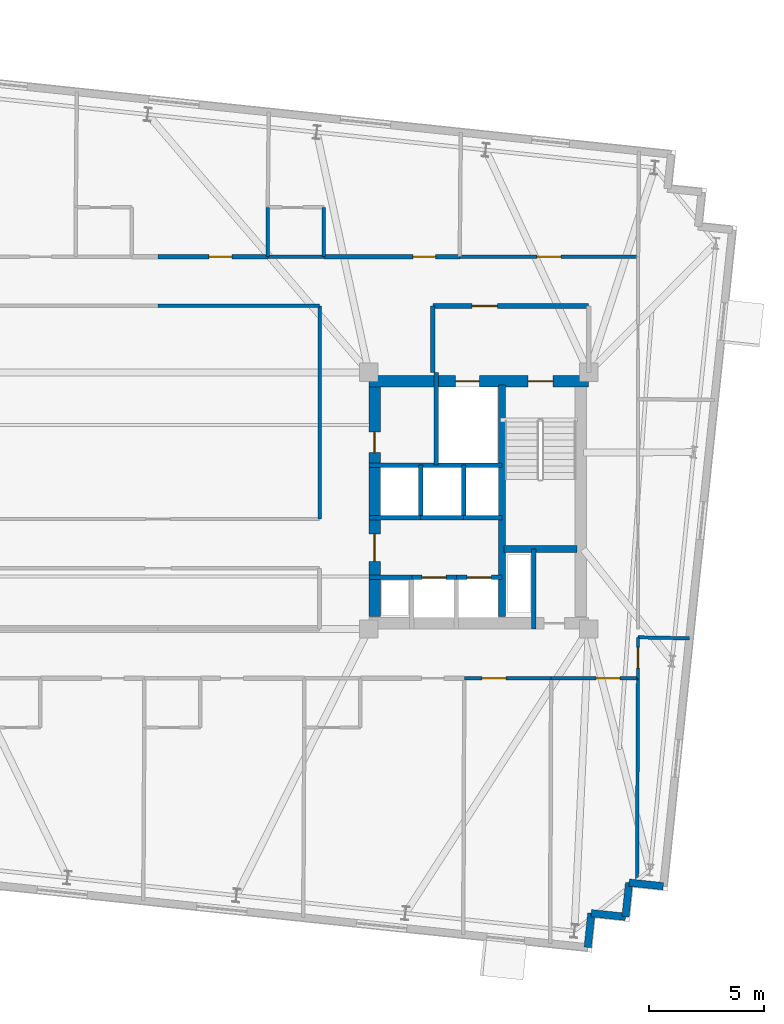
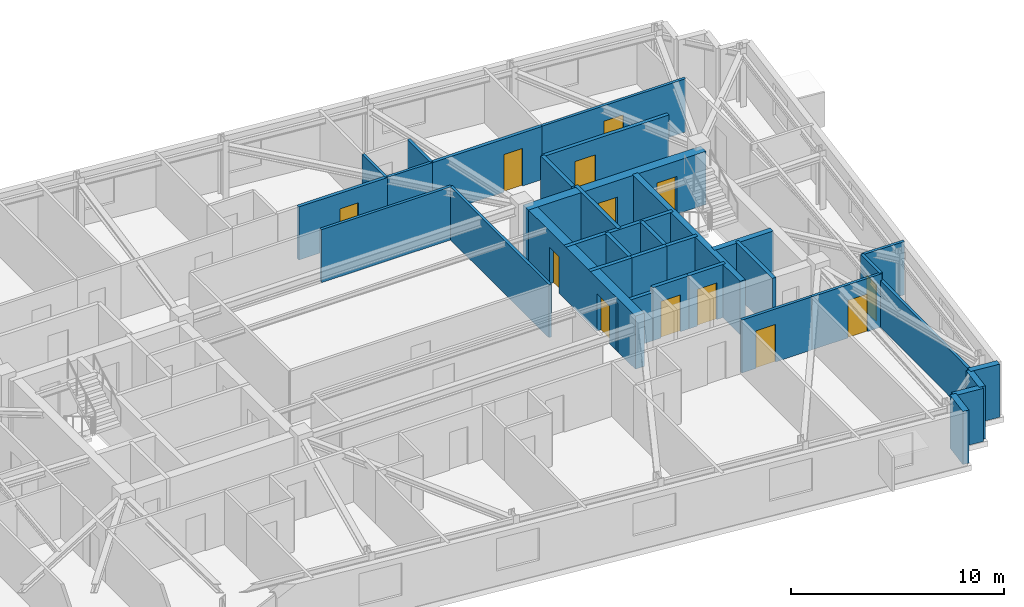
# One storey, part 8 of 11: 34 walls, 13 doors, 13 openings.
"""IFC4 building model written with IfcOpenShell, lengths in metres."""

from ifc_helpers import new_model, si_unit, direction, frame, frame_2d, origin, place, context, subcontext, project, spatial, rectangle, extrude, material, layer, layer_set, type_object, element, fill, save


model = new_model("IFC4")

# Units and contexts
model_context = context("Model", 3, precision=1e-05, world=origin(), true_north=direction((0.0, 1.0)))
body_context = subcontext(model_context, "Body", "Model", "MODEL_VIEW")
ifc_project = project(units=[si_unit("LENGTHUNIT", "METRE"), si_unit("AREAUNIT", "SQUARE_METRE"), si_unit("VOLUMEUNIT", "CUBIC_METRE"), si_unit("PLANEANGLEUNIT", "RADIAN"), si_unit("MASSUNIT", "GRAM", prefix="KILO")], contexts=[model_context])

# Site, building, storey
site_placement = place(None, origin())
site = spatial("IfcSite", under=ifc_project, at=site_placement, CompositionType="ELEMENT")
building_placement = place(site_placement, origin())
building = spatial("IfcBuilding", under=site, at=building_placement, Name="Qobustan Lattice House", CompositionType="ELEMENT")
storey_placement = place(building_placement, frame((0.0, 0.0, 209.800048828125)))
storey = spatial("IfcBuildingStorey", under=building, at=storey_placement, Name="L59", CompositionType="ELEMENT", Elevation=209.800048828125)

# Wall, openings, doors
ifc_material_1 = material(Name="Concrete C50/60", Category="concrete")
ifc_layer_1 = layer(ifc_material_1, 0.5)
ifc_layer_set_1 = layer_set([ifc_layer_1], Name="Concrete C50/60")
wall_type_1 = type_object("IfcWallType", Name="WAL-CORE-500", PredefinedType="SHEAR", material=ifc_layer_set_1)
wall_1_placement = place(storey_placement, frame((9.199951171875, 5.2099609375, 0.0), z_axis=(0.0, 0.0, 1.0), x_axis=(1.0, 0.0, 0.0)))
wall_1 = element("IfcWall", 1, at=wall_1_placement, inside=storey, type_object=wall_type_1, Name="L59 split-core shear wall CE-N", PredefinedType="SHEAR", context=body_context, shape_type="SweptSolid", body=[
    extrude(rectangle(XDim=9.60009765625, YDim=0.5, at=frame_2d((4.800048828125, 0.0))), origin(), (0.0, 0.0, 1.0), 3.0400390625),
])
opening_1_placement = place(wall_1_placement, frame((6.949951171875, 0.0, 0.0)))
opening_1 = element("IfcOpeningElement", 2, at=opening_1_placement, cuts=wall_1, Name="Opening SD-01", PredefinedType="OPENING", context=body_context, shape_type="SweptSolid", body=[
    extrude(rectangle(XDim=1.10009765625, YDim=2.14990234375, at=frame_2d((0.550048828125, 1.074951171875))), frame((0.0, 0.260009765625, 0.0), z_axis=(0.0, -1.0, 0.0), x_axis=(1.0, 0.0, 0.0)), (0.0, 0.0, 1.0), 0.52001953125),
])
opening_2_placement = place(wall_1_placement, frame((3.77490234375, 0.0, 0.0)))
opening_2 = element("IfcOpeningElement", 3, at=opening_2_placement, cuts=wall_1, Name="Opening LD-01", PredefinedType="OPENING", context=body_context, shape_type="SweptSolid", body=[
    extrude(rectangle(XDim=1.050048828125, YDim=2.10009765625, at=frame_2d((0.52490234375, 1.050048828125))), frame((0.0, 0.260009765625, 0.0), z_axis=(0.0, -1.0, 0.0), x_axis=(1.0, 0.0, 0.0)), (0.0, 0.0, 1.0), 0.52001953125),
])
ifc_material_2 = material(Name="Persian walnut timber and steel frame door", Category="steel")
door_type_1 = type_object("IfcDoorType", Name="DOR-LIFT-LD-1050x2100", OperationType="NOTDEFINED", PredefinedType="DOOR", material=ifc_material_2)
door_1_placement = place(opening_2_placement, origin())
door_1 = element("IfcDoor", 4, at=door_1_placement, inside=storey, type_object=door_type_1, Name="L59 firefighting lift FF-E landing door", OperationType="DOUBLE_DOOR_SLIDING", OverallHeight=2.10009765625, OverallWidth=1.050048828125, PredefinedType="DOOR", context=body_context, shape_type="SweptSolid", body=[
    extrude(rectangle(XDim=1.050048828125, YDim=2.10009765625, at=frame_2d((0.52490234375, 1.050048828125))), frame((0.0, 0.02490234375, 0.0), z_axis=(0.0, -1.0, 0.0), x_axis=(1.0, 0.0, 0.0)), (0.0, 0.0, 1.0), 0.050048828125),
])
fill(opening_2, door_1)
ifc_material_3 = material(Name="Persian walnut timber and steel frame door", Category="steel")
door_type_2 = type_object("IfcDoorType", Name="DOR-STAIR-FD-1100x2150", OperationType="NOTDEFINED", PredefinedType="DOOR", material=ifc_material_3)
door_2_placement = place(opening_1_placement, origin())
door_2 = element("IfcDoor", 5, at=door_2_placement, inside=storey, type_object=door_type_2, Name="L59 exit stair ST-E1 fire door", OperationType="SINGLE_SWING_LEFT", OverallHeight=2.14990234375, OverallWidth=1.10009765625, PredefinedType="DOOR", context=body_context, shape_type="SweptSolid", body=[
    extrude(rectangle(XDim=1.10009765625, YDim=2.14990234375, at=frame_2d((0.550048828125, 1.074951171875))), frame((0.0, 0.02490234375, 0.0), z_axis=(0.0, -1.0, 0.0), x_axis=(1.0, 0.0, 0.0)), (0.0, 0.0, 1.0), 0.050048828125),
])
fill(opening_1, door_2)

wall_2_placement = place(storey_placement, frame((9.449951171875, -5.050048828125, 0.0), z_axis=(0.0, 0.0, 1.0), x_axis=(0.0, 1.0, 0.0)))
wall_2 = element("IfcWall", 6, at=wall_2_placement, inside=storey, type_object=wall_type_1, Name="L59 split-core shear wall CE-W", PredefinedType="SHEAR", context=body_context, shape_type="SweptSolid", body=[
    extrude(rectangle(XDim=10.10009765625, YDim=0.5, at=frame_2d((5.050048828125, 0.0))), origin(), (0.0, 0.0, 1.0), 3.0400390625),
])
opening_3_placement = place(wall_2_placement, frame((7.14990234375, 0.0, 0.0)))
opening_3 = element("IfcOpeningElement", 7, at=opening_3_placement, cuts=wall_2, Name="Opening RD-01", PredefinedType="OPENING", context=body_context, shape_type="SweptSolid", body=[
    extrude(rectangle(XDim=0.89990234375, YDim=2.10009765625, at=frame_2d((0.449951171875, 1.050048828125))), frame((0.0, 0.260009765625, 0.0), z_axis=(0.0, -1.0, 0.0), x_axis=(1.0, 0.0, 0.0)), (0.0, 0.0, 1.0), 0.52001953125),
])
opening_4_placement = place(wall_2_placement, frame((2.39990234375, 0.0, 0.0)))
opening_4 = element("IfcOpeningElement", 8, at=opening_4_placement, cuts=wall_2, Name="Opening FD-01", PredefinedType="OPENING", context=body_context, shape_type="SweptSolid", body=[
    extrude(rectangle(XDim=1.199951171875, YDim=2.14990234375, at=frame_2d((0.60009765625, 1.074951171875))), frame((0.0, 0.260009765625, 0.0), z_axis=(0.0, -1.0, 0.0), x_axis=(1.0, 0.0, 0.0)), (0.0, 0.0, 1.0), 0.52001953125),
])
ifc_material_4 = material(Name="Persian walnut timber and steel frame door", Category="steel")
door_type_3 = type_object("IfcDoorType", Name="DOR-LOBBY-FD-1200x2150", OperationType="NOTDEFINED", PredefinedType="DOOR", material=ifc_material_4)
door_3_placement = place(opening_4_placement, origin())
door_3 = element("IfcDoor", 9, at=door_3_placement, inside=storey, type_object=door_type_3, Name="L59 East passenger lift lobby fire door", OperationType="SINGLE_SWING_RIGHT", OverallHeight=2.14990234375, OverallWidth=1.199951171875, PredefinedType="DOOR", context=body_context, shape_type="SweptSolid", body=[
    extrude(rectangle(XDim=1.199951171875, YDim=2.14990234375, at=frame_2d((0.60009765625, 1.074951171875))), frame((0.0, 0.02490234375, 0.0), z_axis=(0.0, -1.0, 0.0), x_axis=(1.0, 0.0, 0.0)), (0.0, 0.0, 1.0), 0.050048828125),
])
fill(opening_4, door_3)
ifc_material_5 = material(Name="Persian walnut timber and steel frame door", Category="steel")
door_type_4 = type_object("IfcDoorType", Name="DOR-RISER-FD-900x2100", OperationType="NOTDEFINED", PredefinedType="DOOR", material=ifc_material_5)
door_4_placement = place(opening_3_placement, origin())
door_4 = element("IfcDoor", 10, at=door_4_placement, inside=storey, type_object=door_type_4, Name="L59 Housekeeping linen store fire door", OperationType="SINGLE_SWING_LEFT", OverallHeight=2.10009765625, OverallWidth=0.89990234375, PredefinedType="DOOR", context=body_context, shape_type="SweptSolid", body=[
    extrude(rectangle(XDim=0.89990234375, YDim=2.10009765625, at=frame_2d((0.449951171875, 1.050048828125))), frame((0.0, 0.02490234375, 0.0), z_axis=(0.0, -1.0, 0.0), x_axis=(1.0, 0.0, 0.0)), (0.0, 0.0, 1.0), 0.050048828125),
])
fill(opening_3, door_4)

# Walls
ifc_material_6 = material(Name="Concrete C50/60", Category="concrete")
ifc_layer_2 = layer(ifc_material_6, 0.280029296875)
ifc_layer_set_2 = layer_set([ifc_layer_2], Name="Concrete C50/60")
wall_type_2 = type_object("IfcWallType", Name="WAL-CORE-SPINE-280", PredefinedType="SHEAR", material=ifc_layer_set_2)
wall_3_placement = place(storey_placement, frame((15.02001953125, -5.050048828125, 0.0), z_axis=(0.0, 0.0, 1.0), x_axis=(0.0, 1.0, 0.0)))
element("IfcWall", 11, at=wall_3_placement, inside=storey, type_object=wall_type_2, Name="L59 split-core shear wall CE-M", PredefinedType="SHEAR", context=body_context, shape_type="SweptSolid", body=[
    extrude(rectangle(XDim=10.10009765625, YDim=0.300048828125, at=frame_2d((5.050048828125, 0.0))), origin(), (0.0, 0.0, 1.0), 3.0400390625),
])
wall_4_placement = place(storey_placement, frame((15.10009765625, -2.110107421875, 0.0), z_axis=(0.0, 0.0, 1.0), x_axis=(1.0, 0.0, 0.0)))
element("IfcWall", 12, at=wall_4_placement, inside=storey, type_object=wall_type_2, Name="L59 split-core shear wall CE-ST", PredefinedType="SHEAR", context=body_context, shape_type="SweptSolid", body=[
    extrude(rectangle(XDim=3.179931640625, YDim=0.300048828125, at=frame_2d((1.58984375, 0.0))), origin(), (0.0, 0.0, 1.0), 3.0400390625),
])
ifc_material_7 = material(Name="Precast concrete C40/50", Category="concrete")
ifc_layer_3 = layer(ifc_material_7, 0.320068359375)
ifc_layer_set_3 = layer_set([ifc_layer_3], Name="Precast concrete C40/50")
wall_type_3 = type_object("IfcWallType", Name="WAL-EXT-STONE-320", PredefinedType="SOLIDWALL", material=ifc_layer_set_3)
wall_5_placement = place(storey_placement, frame((22.052978515625, -16.828369140625, 0.0), z_axis=(0.0, 0.0, 1.0), x_axis=(-0.994526834051, 0.104481464157, 0.0)))
element("IfcWall", 13, at=wall_5_placement, inside=storey, type_object=wall_type_3, Name="L59 exterior limestone-clad wall 16", PredefinedType="SOLIDWALL", context=body_context, shape_type="SweptSolid", body=[
    extrude(rectangle(XDim=1.500244140625, YDim=0.320068359375, at=frame_2d((0.75, 0.0))), origin(), (0.0, 0.0, 1.0), 3.0400390625),
])
for number, where, z_axis, x_axis, name in (
    (14, (20.56103515625, -16.671630859375, 0.0), (0.0, 0.0, 1.0), (-0.104498377516, -0.994525057048, 0.0), "L59 exterior limestone-clad wall 17"),
    (15, (20.404296875, -18.163330078125, 0.0), (0.0, 0.0, 1.0), (-0.994525057048, 0.104498377516, 0.0), "L59 exterior limestone-clad wall 18"),
    (16, (18.91259765625, -18.006591796875, 0.0), (0.0, 0.0, 1.0), (-0.104498377516, -0.994525057048, 0.0), "L59 exterior limestone-clad wall 19"),
):
    element("IfcWall", number, at=place(storey_placement, frame(where, z_axis=z_axis, x_axis=x_axis)), inside=storey, type_object=wall_type_3, Name=name, PredefinedType="SOLIDWALL", context=body_context, shape_type="SweptSolid", body=[
        extrude(rectangle(XDim=1.5, YDim=0.320068359375, at=frame_2d((0.75, 0.0))), origin(), (0.0, 0.0, 1.0), 3.0400390625),
    ])

# Wall, opening, door
ifc_material_8 = material(Name="Gypsum fireboard acoustic partition", Category="gypsum")
ifc_layer_4 = layer(ifc_material_8, 0.179931640625)
ifc_layer_set_4 = layer_set([ifc_layer_4], Name="Gypsum fireboard acoustic partition")
wall_type_4 = type_object("IfcWallType", Name="WAL-FIRE-180", PredefinedType="PARTITIONING", material=ifc_layer_set_4)
wall_6_placement = place(storey_placement, frame((0.0, 10.64990234375, 0.0), z_axis=(0.0, 0.0, 1.0), x_axis=(1.0, 0.0, 0.0)))
wall_6 = element("IfcWall", 17, at=wall_6_placement, inside=storey, type_object=wall_type_4, Name="L59 interior partition 40", PredefinedType="PARTITIONING", context=body_context, shape_type="SweptSolid", body=[
    extrude(rectangle(XDim=4.7900390625, YDim=0.179931640625, at=frame_2d((2.39501953125, 0.0))), origin(), (0.0, 0.0, 1.0), 3.0400390625),
])
opening_5_placement = place(wall_6_placement, frame((2.2236328125, 0.0, 0.0)))
opening_5 = element("IfcOpeningElement", 18, at=opening_5_placement, cuts=wall_6, Name="Opening FD-02", PredefinedType="OPENING", context=body_context, shape_type="SweptSolid", body=[
    extrude(rectangle(XDim=1.0, YDim=2.14990234375, at=frame_2d((0.5, 1.074951171875))), frame((0.0, 0.099853515625, 0.0), z_axis=(0.0, -1.0, 0.0), x_axis=(1.0, 0.0, 0.0)), (0.0, 0.0, 1.0), 0.199951171875),
])
ifc_material_9 = material(Name="Persian walnut timber and steel frame door", Category="steel")
door_type_5 = type_object("IfcDoorType", Name="DOR-UNIT-FD-1000x2150", OperationType="NOTDEFINED", PredefinedType="DOOR", material=ifc_material_9)
door_5_placement = place(opening_5_placement, origin())
door_5 = element("IfcDoor", 19, at=door_5_placement, inside=storey, type_object=door_type_5, Name="L59 North-east floor corridor to Kitchenette and studio apartment L59-N3 door", OperationType="SINGLE_SWING_LEFT", OverallHeight=2.14990234375, OverallWidth=1.0, PredefinedType="DOOR", context=body_context, shape_type="SweptSolid", body=[
    extrude(rectangle(XDim=1.0, YDim=2.14990234375, at=frame_2d((0.5, 1.074951171875))), frame((0.0, 0.02490234375, 0.0), z_axis=(0.0, -1.0, 0.0), x_axis=(1.0, 0.0, 0.0)), (0.0, 0.0, 1.0), 0.050048828125),
])
fill(opening_5, door_5)

wall_7_placement = place(storey_placement, frame((7.239990234375, 10.64990234375, 0.0), z_axis=(0.0, 0.0, 1.0), x_axis=(1.0, 0.0, 0.0)))
wall_7 = element("IfcWall", 20, at=wall_7_placement, inside=storey, type_object=wall_type_4, Name="L59 interior partition 41", PredefinedType="PARTITIONING", context=body_context, shape_type="SweptSolid", body=[
    extrude(rectangle(XDim=5.929931640625, YDim=0.179931640625, at=frame_2d((2.96484375, 0.0))), origin(), (0.0, 0.0, 1.0), 3.0400390625),
])
opening_6_placement = place(wall_7_placement, frame((3.87890625, 0.0, 0.0)))
opening_6 = element("IfcOpeningElement", 21, at=opening_6_placement, cuts=wall_7, Name="Opening FD-02", PredefinedType="OPENING", context=body_context, shape_type="SweptSolid", body=[
    extrude(rectangle(XDim=1.0, YDim=2.14990234375, at=frame_2d((0.5, 1.074951171875))), frame((0.0, 0.099853515625, 0.0), z_axis=(0.0, -1.0, 0.0), x_axis=(1.0, 0.0, 0.0)), (0.0, 0.0, 1.0), 0.199951171875),
])
door_6_placement = place(opening_6_placement, origin())
door_6 = element("IfcDoor", 22, at=door_6_placement, inside=storey, type_object=door_type_5, Name="L59 North-east floor corridor to Kitchenette and studio apartment L59-N4 door", OperationType="SINGLE_SWING_RIGHT", OverallHeight=2.14990234375, OverallWidth=1.0, PredefinedType="DOOR", context=body_context, shape_type="SweptSolid", body=[
    extrude(rectangle(XDim=1.0, YDim=2.14990234375, at=frame_2d((0.5, 1.074951171875))), frame((0.0, 0.02490234375, 0.0), z_axis=(0.0, -1.0, 0.0), x_axis=(1.0, 0.0, 0.0)), (0.0, 0.0, 1.0), 0.050048828125),
])
fill(opening_6, door_6)

ifc_material_10 = material(Name="Acoustic twin-stud gypsum partition", Category="gypsum")
ifc_layer_5 = layer(ifc_material_10, 0.14990234375)
ifc_layer_set_5 = layer_set([ifc_layer_5], Name="Acoustic twin-stud gypsum partition")
wall_type_5 = type_object("IfcWallType", Name="WAL-PART-150", PredefinedType="PARTITIONING", material=ifc_layer_set_5)
wall_8_placement = place(storey_placement, frame((13.169921875, 10.64990234375, 0.0), z_axis=(0.0, 0.0, 1.0), x_axis=(1.0, 0.0, 0.0)))
wall_8 = element("IfcWall", 23, at=wall_8_placement, inside=storey, type_object=wall_type_5, Name="L59 interior partition 43", PredefinedType="PARTITIONING", context=body_context, shape_type="SweptSolid", body=[
    extrude(rectangle(XDim=7.780029296875, YDim=0.14990234375, at=frame_2d((3.89013671875, 0.0))), origin(), (0.0, 0.0, 1.0), 3.0400390625),
])
opening_7_placement = place(wall_8_placement, frame((3.364990234375, 0.0, 0.0)))
opening_7 = element("IfcOpeningElement", 24, at=opening_7_placement, cuts=wall_8, Name="Opening ID-02", PredefinedType="OPENING", context=body_context, shape_type="SweptSolid", body=[
    extrude(rectangle(XDim=1.050048828125, YDim=2.14990234375, at=frame_2d((0.52490234375, 1.074951171875))), frame((0.0, 0.0849609375, 0.0), z_axis=(0.0, -1.0, 0.0), x_axis=(1.0, 0.0, 0.0)), (0.0, 0.0, 1.0), 0.169921875),
])
ifc_material_11 = material(Name="Persian walnut timber and steel frame door", Category="steel")
door_type_6 = type_object("IfcDoorType", Name="DOR-STUDY-1050x2150", OperationType="NOTDEFINED", PredefinedType="DOOR", material=ifc_material_11)
door_7_placement = place(opening_7_placement, origin())
door_7 = element("IfcDoor", 25, at=door_7_placement, inside=storey, type_object=door_type_6, Name="L59 North-east floor corridor to Focus study room N5 door", OperationType="SINGLE_SWING_LEFT", OverallHeight=2.14990234375, OverallWidth=1.050048828125, PredefinedType="DOOR", context=body_context, shape_type="SweptSolid", body=[
    extrude(rectangle(XDim=1.050048828125, YDim=2.14990234375, at=frame_2d((0.52490234375, 1.074951171875))), frame((0.0, 0.02490234375, 0.0), z_axis=(0.0, -1.0, 0.0), x_axis=(1.0, 0.0, 0.0)), (0.0, 0.0, 1.0), 0.050048828125),
])
fill(opening_7, door_7)

# Wall
wall_9_placement = place(storey_placement, frame((7.050048828125, 8.5, 0.0), z_axis=(0.0, 0.0, 1.0), x_axis=(-1.0, 0.0, 0.0)))
element("IfcWall", 26, at=wall_9_placement, inside=storey, type_object=wall_type_5, Name="L59 interior partition 44", PredefinedType="PARTITIONING", context=body_context, shape_type="SweptSolid", body=[
    extrude(rectangle(XDim=7.050048828125, YDim=0.14990234375, at=frame_2d((3.52490234375, 0.0))), origin(), (0.0, 0.0, 1.0), 3.0400390625),
])

# Wall, opening, door
wall_10_placement = place(storey_placement, frame((20.949951171875, -5.964111328125, 0.0), z_axis=(0.0, 0.0, 1.0), x_axis=(0.0, -1.0, 0.0)))
wall_10 = element("IfcWall", 27, at=wall_10_placement, inside=storey, type_object=wall_type_5, Name="L59 interior partition 53", PredefinedType="PARTITIONING", context=body_context, shape_type="SweptSolid", body=[
    extrude(rectangle(XDim=1.785888671875, YDim=0.14990234375, at=frame_2d((0.89306640625, 0.0))), origin(), (0.0, 0.0, 1.0), 3.0400390625),
])
opening_8_placement = place(wall_10_placement, frame((0.443115234375, 0.0, 0.0)))
opening_8 = element("IfcOpeningElement", 28, at=opening_8_placement, cuts=wall_10, Name="Opening WD-01", PredefinedType="OPENING", context=body_context, shape_type="SweptSolid", body=[
    extrude(rectangle(XDim=0.89990234375, YDim=2.10009765625, at=frame_2d((0.449951171875, 1.050048828125))), frame((0.0, 0.0849609375, 0.0), z_axis=(0.0, -1.0, 0.0), x_axis=(1.0, 0.0, 0.0)), (0.0, 0.0, 1.0), 0.169921875),
])
ifc_material_12 = material(Name="Persian walnut timber and steel frame door", Category="steel")
door_type_7 = type_object("IfcDoorType", Name="DOR-WET-900x2100", OperationType="NOTDEFINED", PredefinedType="DOOR", material=ifc_material_12)
door_8_placement = place(opening_8_placement, origin())
door_8 = element("IfcDoor", 29, at=door_8_placement, inside=storey, type_object=door_type_7, Name="L59 South-east floor corridor to Focus study room E1 door", OperationType="SINGLE_SWING_RIGHT", OverallHeight=2.10009765625, OverallWidth=0.89990234375, PredefinedType="DOOR", context=body_context, shape_type="SweptSolid", body=[
    extrude(rectangle(XDim=0.89990234375, YDim=2.10009765625, at=frame_2d((0.449951171875, 1.050048828125))), frame((0.0, 0.02490234375, 0.0), z_axis=(0.0, -1.0, 0.0), x_axis=(1.0, 0.0, 0.0)), (0.0, 0.0, 1.0), 0.050048828125),
])
fill(opening_8, door_8)

wall_11_placement = place(storey_placement, frame((17.158447265625, -7.75, 0.0), z_axis=(0.0, 0.0, 1.0), x_axis=(-1.0, 0.0, 0.0)))
wall_11 = element("IfcWall", 30, at=wall_11_placement, inside=storey, type_object=wall_type_5, Name="L59 interior partition 58", PredefinedType="PARTITIONING", context=body_context, shape_type="SweptSolid", body=[
    extrude(rectangle(XDim=3.79150390625, YDim=0.14990234375, at=frame_2d((1.895751953125, 0.0))), origin(), (0.0, 0.0, 1.0), 3.0400390625),
])
opening_9_placement = place(wall_11_placement, frame((1.9638671875, 0.0, 0.0)))
opening_9 = element("IfcOpeningElement", 31, at=opening_9_placement, cuts=wall_11, Name="Opening ID-02", PredefinedType="OPENING", context=body_context, shape_type="SweptSolid", body=[
    extrude(rectangle(XDim=1.050048828125, YDim=2.14990234375, at=frame_2d((0.52490234375, 1.074951171875))), frame((0.0, 0.0849609375, 0.0), z_axis=(0.0, -1.0, 0.0), x_axis=(1.0, 0.0, 0.0)), (0.0, 0.0, 1.0), 0.169921875),
])
door_9_placement = place(opening_9_placement, origin())
door_9 = element("IfcDoor", 32, at=door_9_placement, inside=storey, type_object=door_type_6, Name="L59 South-east floor corridor to Group study room door", OperationType="SINGLE_SWING_LEFT", OverallHeight=2.14990234375, OverallWidth=1.050048828125, PredefinedType="DOOR", context=body_context, shape_type="SweptSolid", body=[
    extrude(rectangle(XDim=1.050048828125, YDim=2.14990234375, at=frame_2d((0.52490234375, 1.074951171875))), frame((0.0, 0.02490234375, 0.0), z_axis=(0.0, -1.0, 0.0), x_axis=(1.0, 0.0, 0.0)), (0.0, 0.0, 1.0), 0.050048828125),
])
fill(opening_9, door_9)

wall_12_placement = place(storey_placement, frame((20.949951171875, -7.75, 0.0), z_axis=(0.0, 0.0, 1.0), x_axis=(-1.0, 0.0, 0.0)))
wall_12 = element("IfcWall", 33, at=wall_12_placement, inside=storey, type_object=wall_type_5, Name="L59 interior partition 59", PredefinedType="PARTITIONING", context=body_context, shape_type="SweptSolid", body=[
    extrude(rectangle(XDim=3.79150390625, YDim=0.14990234375, at=frame_2d((1.895751953125, 0.0))), origin(), (0.0, 0.0, 1.0), 3.0400390625),
])
opening_10_placement = place(wall_12_placement, frame((0.777587890625, 0.0, 0.0)))
opening_10 = element("IfcOpeningElement", 34, at=opening_10_placement, cuts=wall_12, Name="Opening ID-02", PredefinedType="OPENING", context=body_context, shape_type="SweptSolid", body=[
    extrude(rectangle(XDim=1.050048828125, YDim=2.14990234375, at=frame_2d((0.52490234375, 1.074951171875))), frame((0.0, 0.0849609375, 0.0), z_axis=(0.0, -1.0, 0.0), x_axis=(1.0, 0.0, 0.0)), (0.0, 0.0, 1.0), 0.169921875),
])
door_10_placement = place(opening_10_placement, origin())
door_10 = element("IfcDoor", 35, at=door_10_placement, inside=storey, type_object=door_type_6, Name="L59 South-east floor corridor to Academic seminar room door", OperationType="SINGLE_SWING_RIGHT", OverallHeight=2.14990234375, OverallWidth=1.050048828125, PredefinedType="DOOR", context=body_context, shape_type="SweptSolid", body=[
    extrude(rectangle(XDim=1.050048828125, YDim=2.14990234375, at=frame_2d((0.52490234375, 1.074951171875))), frame((0.0, 0.02490234375, 0.0), z_axis=(0.0, -1.0, 0.0), x_axis=(1.0, 0.0, 0.0)), (0.0, 0.0, 1.0), 0.050048828125),
])
fill(opening_10, door_10)

# Walls
wall_13_placement = place(storey_placement, frame((7.050048828125, -0.800048828125, 0.0), z_axis=(0.0, 0.0, 1.0), x_axis=(0.0, 1.0, 0.0)))
element("IfcWall", 36, at=wall_13_placement, inside=storey, type_object=wall_type_5, Name="L59 interior partition 71", PredefinedType="PARTITIONING", context=body_context, shape_type="SweptSolid", body=[
    extrude(rectangle(XDim=9.300048828125, YDim=0.14990234375, at=frame_2d((4.64990234375, 0.0))), origin(), (0.0, 0.0, 1.0), 3.0400390625),
])
wall_14_placement = place(storey_placement, frame((20.949951171875, -5.964111328125, 0.0), z_axis=(0.0, 0.0, 1.0), x_axis=(0.999809784752, -0.019503700029, 0.0)))
element("IfcWall", 37, at=wall_14_placement, inside=storey, type_object=wall_type_5, Name="L59 interior partition 82", PredefinedType="PARTITIONING", context=body_context, shape_type="SweptSolid", body=[
    extrude(rectangle(XDim=2.24072265625, YDim=0.14990234375, at=frame_2d((1.120361328125, 0.0))), origin(), (0.0, 0.0, 1.0), 3.0400390625),
])
wall_15_placement = place(storey_placement, frame((20.906005859375, -16.7080078125, 0.0), z_axis=(0.0, 0.0, 1.0), x_axis=(0.004905642486, 0.999987967264, 0.0)))
element("IfcWall", 38, at=wall_15_placement, inside=storey, type_object=wall_type_5, Name="L59 interior partition 83", PredefinedType="PARTITIONING", context=body_context, shape_type="SweptSolid", body=[
    extrude(rectangle(XDim=8.9580078125, YDim=0.14990234375, at=frame_2d((4.47900390625, 0.0))), origin(), (0.0, 0.0, 1.0), 2.6650390625),
])

# Wall, opening, door
ifc_material_13 = material(Name="Two-hour gypsum fireboard acoustic partition", Category="gypsum")
ifc_layer_6 = layer(ifc_material_13, 0.199951171875)
ifc_layer_set_6 = layer_set([ifc_layer_6], Name="Two-hour gypsum fireboard acoustic partition")
wall_type_6 = type_object("IfcWallType", Name="WAL-PROT-200", PredefinedType="PARTITIONING", material=ifc_layer_set_6)
wall_16_placement = place(storey_placement, frame((18.800048828125, 8.5, 0.0), z_axis=(0.0, 0.0, 1.0), x_axis=(-1.0, 0.0, 0.0)))
wall_16 = element("IfcWall", 39, at=wall_16_placement, inside=storey, type_object=wall_type_6, Name="L59 interior partition 17", PredefinedType="PARTITIONING", context=body_context, shape_type="SweptSolid", body=[
    extrude(rectangle(XDim=6.800048828125, YDim=0.199951171875, at=frame_2d((3.39990234375, 0.0))), origin(), (0.0, 0.0, 1.0), 3.0400390625),
])
opening_11_placement = place(wall_16_placement, frame((3.985107421875, 0.0, 0.0)))
opening_11 = element("IfcOpeningElement", 40, at=opening_11_placement, cuts=wall_16, Name="Opening SD-01", PredefinedType="OPENING", context=body_context, shape_type="SweptSolid", body=[
    extrude(rectangle(XDim=1.10009765625, YDim=2.14990234375, at=frame_2d((0.550048828125, 1.074951171875))), frame((0.0, 0.10986328125, 0.0), z_axis=(0.0, -1.0, 0.0), x_axis=(1.0, 0.0, 0.0)), (0.0, 0.0, 1.0), 0.219970703125),
])
door_11_placement = place(opening_11_placement, origin())
door_11 = element("IfcDoor", 41, at=door_11_placement, inside=storey, type_object=door_type_2, Name="L59 East firefighting lift lobby to North-east floor corridor door", OperationType="SINGLE_SWING_RIGHT", OverallHeight=2.14990234375, OverallWidth=1.10009765625, PredefinedType="DOOR", context=body_context, shape_type="SweptSolid", body=[
    extrude(rectangle(XDim=1.10009765625, YDim=2.14990234375, at=frame_2d((0.550048828125, 1.074951171875))), frame((0.0, 0.02490234375, 0.0), z_axis=(0.0, -1.0, 0.0), x_axis=(1.0, 0.0, 0.0)), (0.0, 0.0, 1.0), 0.050048828125),
])
fill(opening_11, door_11)

# Walls
wall_17_placement = place(storey_placement, frame((12.0, 8.5, 0.0), z_axis=(0.0, 0.0, 1.0), x_axis=(0.0, -1.0, 0.0)))
element("IfcWall", 42, at=wall_17_placement, inside=storey, type_object=wall_type_6, Name="L59 interior partition 19", PredefinedType="PARTITIONING", context=body_context, shape_type="SweptSolid", body=[
    extrude(rectangle(XDim=2.89990234375, YDim=0.199951171875, at=frame_2d((1.449951171875, 0.0))), origin(), (0.0, 0.0, 1.0), 3.0400390625),
])
ifc_material_14 = material(Name="Concrete C40/50", Category="concrete")
ifc_layer_7 = layer(ifc_material_14, 0.199951171875)
ifc_layer_set_7 = layer_set([ifc_layer_7], Name="Concrete C40/50")
wall_type_7 = type_object("IfcWallType", Name="WAL-SHAFT-200", PredefinedType="PARTITIONING", material=ifc_layer_set_7)
wall_18_placement = place(storey_placement, frame((16.39990234375, -2.110107421875, 0.0), z_axis=(0.0, 0.0, 1.0), x_axis=(0.0, -1.0, 0.0)))
element("IfcWall", 43, at=wall_18_placement, inside=storey, type_object=wall_type_7, Name="L59 interior partition 15", PredefinedType="PARTITIONING", context=body_context, shape_type="SweptSolid", body=[
    extrude(rectangle(XDim=3.489990234375, YDim=0.199951171875, at=frame_2d((1.7451171875, 0.0))), origin(), (0.0, 0.0, 1.0), 3.0400390625),
])
wall_19_placement = place(storey_placement, frame((12.14990234375, 5.60009765625, 0.0), z_axis=(0.0, 0.0, 1.0), x_axis=(0.0, -1.0, 0.0)))
element("IfcWall", 44, at=wall_19_placement, inside=storey, type_object=wall_type_7, Name="L59 interior partition 16", PredefinedType="PARTITIONING", context=body_context, shape_type="SweptSolid", body=[
    extrude(rectangle(XDim=4.050048828125, YDim=0.199951171875, at=frame_2d((2.02490234375, 0.0))), origin(), (0.0, 0.0, 1.0), 3.0400390625),
])
wall_20_placement = place(storey_placement, frame((9.199951171875, -3.35009765625, 0.0), z_axis=(0.0, 0.0, 1.0), x_axis=(1.0, 0.0, 0.0)))
element("IfcWall", 45, at=wall_20_placement, inside=storey, type_object=wall_type_7, Name="L59 interior partition 21", PredefinedType="PARTITIONING", context=body_context, shape_type="SweptSolid", body=[
    extrude(rectangle(XDim=1.880126953125, YDim=0.199951171875, at=frame_2d((0.93994140625, 0.0))), origin(), (0.0, 0.0, 1.0), 2.7548828125),
])

# Wall, opening, door
wall_21_placement = place(storey_placement, frame((11.080078125, -3.35009765625, 0.0), z_axis=(0.0, 0.0, 1.0), x_axis=(1.0, 0.0, 0.0)))
wall_21 = element("IfcWall", 46, at=wall_21_placement, inside=storey, type_object=wall_type_7, Name="L59 interior partition 22", PredefinedType="PARTITIONING", context=body_context, shape_type="SweptSolid", body=[
    extrude(rectangle(XDim=1.93994140625, YDim=0.199951171875, at=frame_2d((0.969970703125, 0.0))), origin(), (0.0, 0.0, 1.0), 3.0400390625),
])
opening_12_placement = place(wall_21_placement, frame((0.445068359375, 0.0, 0.0)))
opening_12 = element("IfcOpeningElement", 47, at=opening_12_placement, cuts=wall_21, Name="Opening LD-01", PredefinedType="OPENING", context=body_context, shape_type="SweptSolid", body=[
    extrude(rectangle(XDim=1.050048828125, YDim=2.10009765625, at=frame_2d((0.52490234375, 1.050048828125))), frame((0.0, 0.10986328125, 0.0), z_axis=(0.0, -1.0, 0.0), x_axis=(1.0, 0.0, 0.0)), (0.0, 0.0, 1.0), 0.219970703125),
])
door_12_placement = place(opening_12_placement, origin())
door_12 = element("IfcDoor", 48, at=door_12_placement, inside=storey, type_object=door_type_1, Name="L59 lift landing door", OperationType="DOUBLE_DOOR_SLIDING", OverallHeight=2.10009765625, OverallWidth=1.050048828125, PredefinedType="DOOR", context=body_context, shape_type="SweptSolid", body=[
    extrude(rectangle(XDim=1.050048828125, YDim=2.10009765625, at=frame_2d((0.52490234375, 1.050048828125))), frame((0.0, 0.02490234375, 0.0), z_axis=(0.0, -1.0, 0.0), x_axis=(1.0, 0.0, 0.0)), (0.0, 0.0, 1.0), 0.050048828125),
])
fill(opening_12, door_12)

wall_22_placement = place(storey_placement, frame((13.02001953125, -3.35009765625, 0.0), z_axis=(0.0, 0.0, 1.0), x_axis=(1.0, 0.0, 0.0)))
wall_22 = element("IfcWall", 49, at=wall_22_placement, inside=storey, type_object=wall_type_7, Name="L59 interior partition 23", PredefinedType="PARTITIONING", context=body_context, shape_type="SweptSolid", body=[
    extrude(rectangle(XDim=2.0, YDim=0.199951171875, at=frame_2d((1.0, 0.0))), origin(), (0.0, 0.0, 1.0), 3.0400390625),
])
opening_13_placement = place(wall_22_placement, frame((0.47509765625, 0.0, 0.0)))
opening_13 = element("IfcOpeningElement", 50, at=opening_13_placement, cuts=wall_22, Name="Opening LD-01", PredefinedType="OPENING", context=body_context, shape_type="SweptSolid", body=[
    extrude(rectangle(XDim=1.050048828125, YDim=2.10009765625, at=frame_2d((0.52490234375, 1.050048828125))), frame((0.0, 0.10986328125, 0.0), z_axis=(0.0, -1.0, 0.0), x_axis=(1.0, 0.0, 0.0)), (0.0, 0.0, 1.0), 0.219970703125),
])
door_13_placement = place(opening_13_placement, origin())
door_13 = element("IfcDoor", 51, at=door_13_placement, inside=storey, type_object=door_type_1, Name="L59 lift landing door", OperationType="DOUBLE_DOOR_SLIDING", OverallHeight=2.10009765625, OverallWidth=1.050048828125, PredefinedType="DOOR", context=body_context, shape_type="SweptSolid", body=[
    extrude(rectangle(XDim=1.050048828125, YDim=2.10009765625, at=frame_2d((0.52490234375, 1.050048828125))), frame((0.0, 0.02490234375, 0.0), z_axis=(0.0, -1.0, 0.0), x_axis=(1.0, 0.0, 0.0)), (0.0, 0.0, 1.0), 0.050048828125),
])
fill(opening_13, door_13)

# Walls
wall_23_placement = place(storey_placement, frame((11.4599609375, -0.75, 0.0), z_axis=(0.0, 0.0, 1.0), x_axis=(-1.0, 0.0, 0.0)))
element("IfcWall", 52, at=wall_23_placement, inside=storey, type_object=wall_type_7, Name="L59 interior partition 24", PredefinedType="PARTITIONING", context=body_context, shape_type="SweptSolid", body=[
    extrude(rectangle(XDim=2.260009765625, YDim=0.199951171875, at=frame_2d((1.1298828125, 0.0))), origin(), (0.0, 0.0, 1.0), 3.0400390625),
])
wall_24_placement = place(storey_placement, frame((13.340087890625, -0.75, 0.0), z_axis=(0.0, 0.0, 1.0), x_axis=(-1.0, 0.0, 0.0)))
element("IfcWall", 53, at=wall_24_placement, inside=storey, type_object=wall_type_7, Name="L59 interior partition 25", PredefinedType="PARTITIONING", context=body_context, shape_type="SweptSolid", body=[
    extrude(rectangle(XDim=1.880126953125, YDim=0.199951171875, at=frame_2d((0.93994140625, 0.0))), origin(), (0.0, 0.0, 1.0), 3.0400390625),
])
wall_25_placement = place(storey_placement, frame((15.02001953125, -0.75, 0.0), z_axis=(0.0, 0.0, 1.0), x_axis=(-1.0, 0.0, 0.0)))
element("IfcWall", 54, at=wall_25_placement, inside=storey, type_object=wall_type_7, Name="L59 interior partition 26", PredefinedType="PARTITIONING", context=body_context, shape_type="SweptSolid", body=[
    extrude(rectangle(XDim=1.679931640625, YDim=0.199951171875, at=frame_2d((0.83984375, 0.0))), origin(), (0.0, 0.0, 1.0), 3.0400390625),
])
for number, where, z_axis, x_axis, name in (
    (55, (11.4599609375, -0.75, 0.0), (0.0, 0.0, 1.0), (0.0, 1.0, 0.0), "L59 interior partition 30"),
    (56, (13.340087890625, -0.75, 0.0), (0.0, 0.0, 1.0), (0.0, 1.0, 0.0), "L59 interior partition 31"),
):
    element("IfcWall", number, at=place(storey_placement, frame(where, z_axis=z_axis, x_axis=x_axis)), inside=storey, type_object=wall_type_7, Name=name, PredefinedType="PARTITIONING", context=body_context, shape_type="SweptSolid", body=[
        extrude(rectangle(XDim=2.300048828125, YDim=0.199951171875, at=frame_2d((1.14990234375, 0.0))), origin(), (0.0, 0.0, 1.0), 3.0400390625),
    ])
wall_26_placement = place(storey_placement, frame((9.199951171875, 1.550048828125, 0.0), z_axis=(0.0, 0.0, 1.0), x_axis=(1.0, 0.0, 0.0)))
element("IfcWall", 57, at=wall_26_placement, inside=storey, type_object=wall_type_7, Name="L59 interior partition 116", PredefinedType="PARTITIONING", context=body_context, shape_type="SweptSolid", body=[
    extrude(rectangle(XDim=5.820068359375, YDim=0.199951171875, at=frame_2d((2.91015625, 0.0))), origin(), (0.0, 0.0, 1.0), 3.0400390625),
])
ifc_material_15 = material(Name="Moisture-resistant acoustic plumbing wall", Category="gypsum")
ifc_layer_8 = layer(ifc_material_15, 0.14990234375)
ifc_layer_set_8 = layer_set([ifc_layer_8], Name="Moisture-resistant acoustic plumbing wall")
wall_type_8 = type_object("IfcWallType", Name="WAL-WET-150", PredefinedType="PLUMBINGWALL", material=ifc_layer_set_8)
wall_27_placement = place(storey_placement, frame((4.7900390625, 10.64990234375, 0.0), z_axis=(0.0, 0.0, 1.0), x_axis=(1.0, 0.0, 0.0)))
element("IfcWall", 58, at=wall_27_placement, inside=storey, type_object=wall_type_8, Name="L59 interior partition 42", PredefinedType="PLUMBINGWALL", context=body_context, shape_type="SweptSolid", body=[
    extrude(rectangle(XDim=2.449951171875, YDim=0.14990234375, at=frame_2d((1.22509765625, 0.0))), origin(), (0.0, 0.0, 1.0), 3.0400390625),
])
for number, where, z_axis, x_axis, name in (
    (59, (4.7900390625, 12.800048828125, 0.0), (0.0, 0.0, 1.0), (0.0, -1.0, 0.0), "L59 interior partition 93"),
    (60, (7.239990234375, 10.64990234375, 0.0), (0.0, 0.0, 1.0), (0.0, 1.0, 0.0), "L59 interior partition 95"),
):
    element("IfcWall", number, at=place(storey_placement, frame(where, z_axis=z_axis, x_axis=x_axis)), inside=storey, type_object=wall_type_8, Name=name, PredefinedType="PLUMBINGWALL", context=body_context, shape_type="SweptSolid", body=[
        extrude(rectangle(XDim=2.150146484375, YDim=0.14990234375, at=frame_2d((1.0751953125, 0.0))), origin(), (0.0, 0.0, 1.0), 3.0400390625),
    ])

save(model, "model.ifc")
